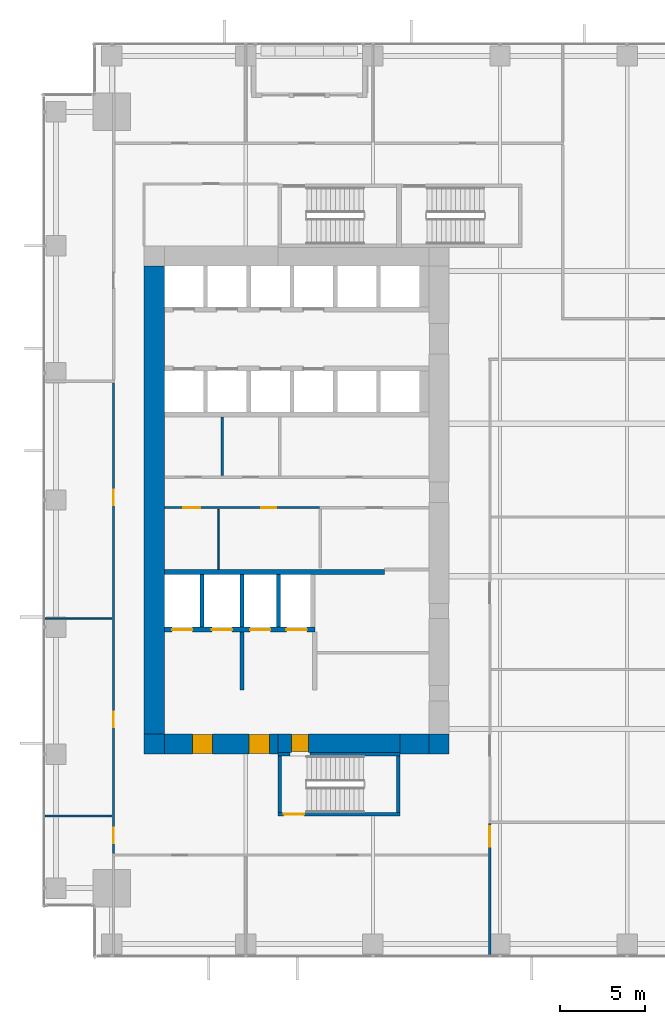
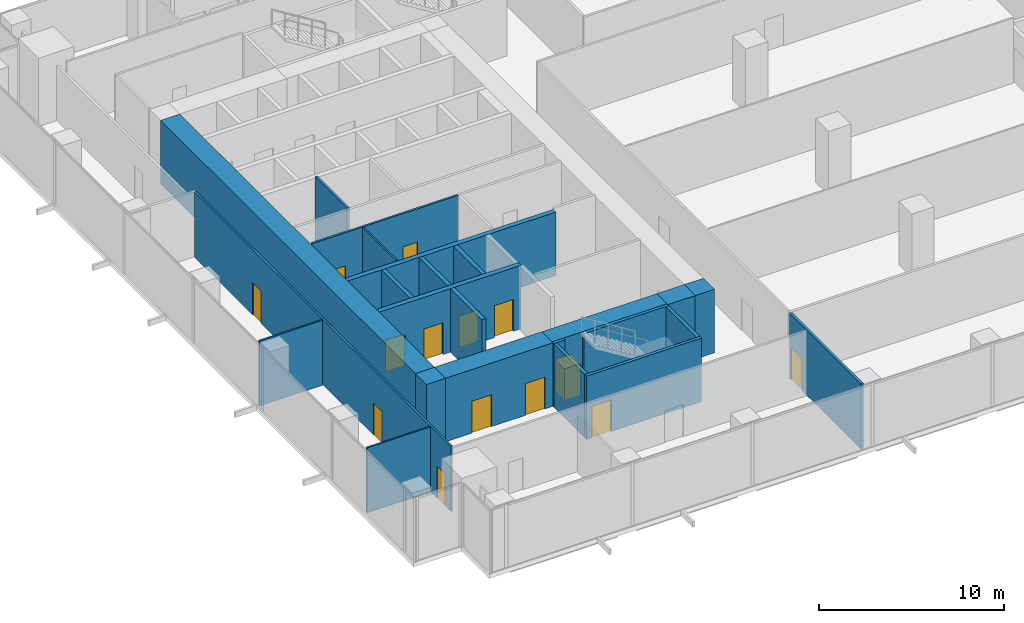
# One storey, part 26 of 32: 24 walls, 14 doors, 14 openings.
"""IFC4 building model written with IfcOpenShell, lengths in metres."""

from ifc_helpers import new_model, si_unit, direction, frame, frame_2d, origin, place, context, subcontext, project, spatial, rectangle, extrude, source, transform, mapped, material, layer, layer_set, type_object, element, fill, save


model = new_model("IFC4")

# Units and contexts
model_context = context("Model", 3, precision=1e-05, world=origin(), true_north=direction((0.0, 1.0)))
body_context = subcontext(model_context, "Body", "Model", "MODEL_VIEW")
ifc_project = project(units=[si_unit("LENGTHUNIT", "METRE"), si_unit("AREAUNIT", "SQUARE_METRE"), si_unit("VOLUMEUNIT", "CUBIC_METRE"), si_unit("PLANEANGLEUNIT", "RADIAN"), si_unit("MASSUNIT", "GRAM", prefix="KILO")], contexts=[model_context])

# Site, building, storey
site_placement = place(None, origin())
site = spatial("IfcSite", under=ifc_project, at=site_placement, CompositionType="ELEMENT")
building_placement = place(site_placement, origin())
building = spatial("IfcBuilding", under=site, at=building_placement, Name="Khomas Fold Tower", CompositionType="ELEMENT")
storey_placement = place(building_placement, frame((0.0, 0.0, 42.0)))
storey = spatial("IfcBuildingStorey", under=building, at=storey_placement, Name="L08", CompositionType="ELEMENT", Elevation=42.0)

# Wall, openings, doors
ifc_material_1 = material(Name="Concrete C70/85", Category="concrete")
ifc_layer_1 = layer(ifc_material_1, 1.199951171875)
ifc_layer_set_1 = layer_set([ifc_layer_1], Name="Concrete C70/85")
wall_type_1 = type_object("IfcWallType", Name="Core wall 1200", PredefinedType="SHEAR", material=ifc_layer_set_1)
shared_shape_1 = source(origin(), body_context, "Body", "SweptSolid", [
    extrude(rectangle(XDim=6.699951171875, YDim=1.199951171875, at=frame_2d((3.35009765625, 0.0))), origin(), (0.0, 0.0, 1.0), 4.199951171875),
])
wall_1_placement = place(storey_placement, frame((7.199951171875, 12.60009765625, 0.0), z_axis=(0.0, 0.0, 1.0), x_axis=(1.0, 0.0, 0.0)))
wall_1 = element("IfcWall", 1, at=wall_1_placement, inside=storey, type_object=wall_type_1, Name="Core wall CW-L-S-B2", PredefinedType="SHEAR", context=body_context, shape_type="MappedRepresentation", body=[
    mapped(shared_shape_1, transform((0.0, 0.0, 0.0))),
])
shared_shape_2 = source(origin(), body_context, "Body", "SweptSolid", [
    extrude(rectangle(XDim=1.199951171875, YDim=2.10009765625, at=frame_2d((0.60009765625, 1.050048828125))), frame((0.0, 0.60986328125, 0.0), z_axis=(0.0, -1.0, 0.0), x_axis=(1.0, 0.0, 0.0)), (0.0, 0.0, 1.0), 1.219970703125),
])
opening_1_placement = place(wall_1_placement, frame((5.0, 0.0, 0.0)))
opening_1 = element("IfcOpeningElement", 2, at=opening_1_placement, cuts=wall_1, Name="Opening 0009", PredefinedType="OPENING", context=body_context, shape_type="MappedRepresentation", body=[
    mapped(shared_shape_2, transform((0.0, 0.0, 0.0))),
])
opening_2_placement = place(wall_1_placement, frame((1.64990234375, 0.0, 0.0)))
opening_2 = element("IfcOpeningElement", 3, at=opening_2_placement, cuts=wall_1, Name="Opening 0009", PredefinedType="OPENING", context=body_context, shape_type="MappedRepresentation", body=[
    mapped(shared_shape_2, transform((0.0, 0.0, 0.0))),
])
ifc_material_2 = material(Name="Steel door leaf", Category="steel")
door_type_1 = type_object("IfcDoorType", Name="Lobby door 1200x2100 right-hand", OperationType="SINGLE_SWING_RIGHT", PredefinedType="DOOR", material=ifc_material_2)
shared_shape_3 = source(origin(), body_context, "Body", "SweptSolid", [
    extrude(rectangle(XDim=1.199951171875, YDim=2.10009765625, at=frame_2d((0.60009765625, 1.050048828125))), frame((0.0, 0.5498046875, 0.0), z_axis=(0.0, -1.0, 0.0), x_axis=(1.0, 0.0, 0.0)), (0.0, 0.0, 1.0), 1.099853515625),
])
door_1_placement = place(opening_1_placement, origin())
door_1 = element("IfcDoor", 4, at=door_1_placement, inside=storey, type_object=door_type_1, Name="Lobby door", OperationType="SINGLE_SWING_RIGHT", OverallHeight=2.10009765625, OverallWidth=1.199951171875, PredefinedType="DOOR", context=body_context, shape_type="MappedRepresentation", body=[
    mapped(shared_shape_3, transform((0.0, 0.0, 0.0))),
])
fill(opening_1, door_1)
door_2_placement = place(opening_2_placement, origin())
door_2 = element("IfcDoor", 5, at=door_2_placement, inside=storey, type_object=door_type_1, Name="Lobby door", OperationType="SINGLE_SWING_RIGHT", OverallHeight=2.10009765625, OverallWidth=1.199951171875, PredefinedType="DOOR", context=body_context, shape_type="MappedRepresentation", body=[
    mapped(shared_shape_3, transform((0.0, 0.0, 0.0))),
])
fill(opening_2, door_2)

# Walls
ifc_material_3 = material(Name="Concrete C70/85", Category="concrete")
ifc_layer_2 = layer(ifc_material_3, 1.199951171875)
ifc_layer_set_2 = layer_set([ifc_layer_2], Name="Concrete C70/85")
wall_type_2 = type_object("IfcWallType", Name="Core corner wall 1200", PredefinedType="SHEAR", material=ifc_layer_set_2)
shared_shape_4 = source(origin(), body_context, "Body", "SweptSolid", [
    extrude(rectangle(XDim=1.199951171875, YDim=1.199951171875, at=frame_2d((0.60009765625, 0.0))), origin(), (0.0, 0.0, 1.0), 4.199951171875),
])
for number, where, z_axis, x_axis, name in (
    (6, (22.800048828125, 12.60009765625, 0.0), (0.0, 0.0, 1.0), (1.0, 0.0, 0.0), "Core wall CW-L-SE-B2"),
    (7, (6.0, 12.60009765625, 0.0), (0.0, 0.0, 1.0), (1.0, 0.0, 0.0), "Core wall CW-L-SW-B2"),
):
    element("IfcWall", number, at=place(storey_placement, frame(where, z_axis=z_axis, x_axis=x_axis)), inside=storey, type_object=wall_type_2, Name=name, PredefinedType="SHEAR", context=body_context, shape_type="MappedRepresentation", body=[
        mapped(shared_shape_4, transform((0.0, 0.0, 0.0))),
    ])

# Wall, opening, door
ifc_material_4 = material(Name="Concrete C70/85", Category="concrete")
ifc_layer_3 = layer(ifc_material_4, 1.10009765625)
ifc_layer_set_3 = layer_set([ifc_layer_3], Name="Concrete C70/85")
wall_type_3 = type_object("IfcWallType", Name="Core wall 1100", PredefinedType="SHEAR", material=ifc_layer_set_3)
shared_shape_5 = source(origin(), body_context, "Body", "SweptSolid", [
    extrude(rectangle(XDim=7.2001953125, YDim=1.10009765625, at=frame_2d((3.60009765625, 0.0))), origin(), (0.0, 0.0, 1.0), 4.199951171875),
])
wall_2_placement = place(storey_placement, frame((13.89990234375, 12.64990234375, 0.0), z_axis=(0.0, 0.0, 1.0), x_axis=(1.0, 0.0, 0.0)))
wall_2 = element("IfcWall", 8, at=wall_2_placement, inside=storey, type_object=wall_type_3, Name="Core wall CW-L-S-B2-1", PredefinedType="SHEAR", context=body_context, shape_type="MappedRepresentation", body=[
    mapped(shared_shape_5, transform((0.0, 0.0, 0.0))),
])
shared_shape_6 = source(origin(), body_context, "Body", "SweptSolid", [
    extrude(rectangle(XDim=1.0, YDim=2.10009765625, at=frame_2d((0.5, 1.050048828125))), frame((0.0, 0.56005859375, 0.0), z_axis=(0.0, -1.0, 0.0), x_axis=(1.0, 0.0, 0.0)), (0.0, 0.0, 1.0), 1.1201171875),
])
opening_3_placement = place(wall_2_placement, frame((0.800048828125, 0.0, 0.0)))
opening_3 = element("IfcOpeningElement", 9, at=opening_3_placement, cuts=wall_2, Name="Opening 0010", PredefinedType="OPENING", context=body_context, shape_type="MappedRepresentation", body=[
    mapped(shared_shape_6, transform((0.0, 0.0, 0.0))),
])
ifc_material_5 = material(Name="Steel door leaf", Category="steel")
door_type_2 = type_object("IfcDoorType", Name="Stair door 1000x2100 right-hand", OperationType="SINGLE_SWING_RIGHT", PredefinedType="DOOR", material=ifc_material_5)
shared_shape_7 = source(origin(), body_context, "Body", "SweptSolid", [
    extrude(rectangle(XDim=1.0, YDim=2.10009765625, at=frame_2d((0.5, 1.050048828125))), frame((0.0, 0.5, 0.0), z_axis=(0.0, -1.0, 0.0), x_axis=(1.0, 0.0, 0.0)), (0.0, 0.0, 1.0), 1.0),
])
door_3_placement = place(opening_3_placement, origin())
door_3 = element("IfcDoor", 10, at=door_3_placement, inside=storey, type_object=door_type_2, Name="Stair door", OperationType="SINGLE_SWING_RIGHT", OverallHeight=2.10009765625, OverallWidth=1.0, PredefinedType="DOOR", context=body_context, shape_type="MappedRepresentation", body=[
    mapped(shared_shape_7, transform((0.0, 0.0, 0.0))),
])
fill(opening_3, door_3)

# Walls
shared_shape_8 = source(origin(), body_context, "Body", "SweptSolid", [
    extrude(rectangle(XDim=1.699951171875, YDim=1.199951171875, at=frame_2d((0.85009765625, 0.0))), origin(), (0.0, 0.0, 1.0), 4.199951171875),
])
wall_3_placement = place(storey_placement, frame((21.10009765625, 12.60009765625, 0.0), z_axis=(0.0, 0.0, 1.0), x_axis=(1.0, 0.0, 0.0)))
element("IfcWall", 11, at=wall_3_placement, inside=storey, type_object=wall_type_1, Name="Core wall CW-L-S-B2-2", PredefinedType="SHEAR", context=body_context, shape_type="MappedRepresentation", body=[
    mapped(shared_shape_8, transform((0.0, 0.0, 0.0))),
])
shared_shape_9 = source(origin(), body_context, "Body", "SweptSolid", [
    extrude(rectangle(XDim=27.60009765625, YDim=1.199951171875, at=frame_2d((13.800048828125, 0.0))), origin(), (0.0, 0.0, 1.0), 4.199951171875),
])
wall_4_placement = place(storey_placement, frame((6.60009765625, 13.199951171875, 0.0), z_axis=(0.0, 0.0, 1.0), x_axis=(0.0, 1.0, 0.0)))
element("IfcWall", 12, at=wall_4_placement, inside=storey, type_object=wall_type_1, Name="Core wall CW-L-W-B2", PredefinedType="SHEAR", context=body_context, shape_type="MappedRepresentation", body=[
    mapped(shared_shape_9, transform((0.0, 0.0, 0.0))),
])
ifc_material_6 = material(Name="Concrete C50/60", Category="concrete")
ifc_layer_4 = layer(ifc_material_6, 0.199951171875)
ifc_layer_set_4 = layer_set([ifc_layer_4], Name="Concrete C50/60")
wall_type_4 = type_object("IfcWallType", Name="Stair wall 200", PredefinedType="SHEAR", material=ifc_layer_set_4)
shared_shape_10 = source(origin(), body_context, "Body", "SweptSolid", [
    extrude(rectangle(XDim=0.7001953125, YDim=0.199951171875, at=frame_2d((0.35009765625, 0.0))), origin(), (0.0, 0.0, 1.0), 4.199951171875),
])
wall_5_placement = place(storey_placement, frame((13.89990234375, 12.0, 0.0), z_axis=(0.0, 0.0, 1.0), x_axis=(1.0, 0.0, 0.0)))
element("IfcWall", 13, at=wall_5_placement, inside=storey, type_object=wall_type_4, Name="Stair wall SW-ST2-N", PredefinedType="SHEAR", context=body_context, shape_type="MappedRepresentation", body=[
    mapped(shared_shape_10, transform((0.0, 0.0, 0.0))),
])
shared_shape_11 = source(origin(), body_context, "Body", "SweptSolid", [
    extrude(rectangle(XDim=5.300048828125, YDim=0.199951171875, at=frame_2d((2.64990234375, 0.0))), origin(), (0.0, 0.0, 1.0), 4.199951171875),
])
wall_6_placement = place(storey_placement, frame((15.800048828125, 12.0, 0.0), z_axis=(0.0, 0.0, 1.0), x_axis=(1.0, 0.0, 0.0)))
element("IfcWall", 14, at=wall_6_placement, inside=storey, type_object=wall_type_4, Name="Stair wall SW-ST2-NB", PredefinedType="SHEAR", context=body_context, shape_type="MappedRepresentation", body=[
    mapped(shared_shape_11, transform((0.0, 0.0, 0.0))),
])

# Wall, opening, door
shared_shape_12 = source(origin(), body_context, "Body", "SweptSolid", [
    extrude(rectangle(XDim=7.2001953125, YDim=0.199951171875, at=frame_2d((3.60009765625, 0.0))), origin(), (0.0, 0.0, 1.0), 4.199951171875),
])
wall_7_placement = place(storey_placement, frame((13.89990234375, 8.449951171875, 0.0), z_axis=(0.0, 0.0, 1.0), x_axis=(1.0, 0.0, 0.0)))
wall_7 = element("IfcWall", 15, at=wall_7_placement, inside=storey, type_object=wall_type_4, Name="Stair wall SW-ST2-S", PredefinedType="SHEAR", context=body_context, shape_type="MappedRepresentation", body=[
    mapped(shared_shape_12, transform((0.0, 0.0, 0.0))),
])
shared_shape_13 = source(origin(), body_context, "Body", "SweptSolid", [
    extrude(rectangle(XDim=1.199951171875, YDim=2.10009765625, at=frame_2d((0.60009765625, 1.050048828125))), frame((0.0, 0.10986328125, 0.0), z_axis=(0.0, -1.0, 0.0), x_axis=(1.0, 0.0, 0.0)), (0.0, 0.0, 1.0), 0.219970703125),
])
opening_4_placement = place(wall_7_placement, frame((0.35009765625, 0.0, 0.0)))
opening_4 = element("IfcOpeningElement", 16, at=opening_4_placement, cuts=wall_7, Name="Opening SD-ST2", PredefinedType="OPENING", context=body_context, shape_type="MappedRepresentation", body=[
    mapped(shared_shape_13, transform((0.0, 0.0, 0.0))),
])
ifc_material_7 = material(Name="Steel door leaf", Category="steel")
door_type_3 = type_object("IfcDoorType", Name="Stair door 1200x2100 right-hand", OperationType="SINGLE_SWING_RIGHT", PredefinedType="DOOR", material=ifc_material_7)
shared_shape_14 = source(origin(), body_context, "Body", "SweptSolid", [
    extrude(rectangle(XDim=1.199951171875, YDim=2.10009765625, at=frame_2d((0.60009765625, 1.050048828125))), frame((0.0, 0.02490234375, 0.0), z_axis=(0.0, -1.0, 0.0), x_axis=(1.0, 0.0, 0.0)), (0.0, 0.0, 1.0), 0.050048828125),
])
door_4_placement = place(opening_4_placement, origin())
door_4 = element("IfcDoor", 17, at=door_4_placement, inside=storey, type_object=door_type_3, Name="Stair door", OperationType="SINGLE_SWING_RIGHT", OverallHeight=2.10009765625, OverallWidth=1.199951171875, PredefinedType="DOOR", context=body_context, shape_type="MappedRepresentation", body=[
    mapped(shared_shape_14, transform((0.0, 0.0, 0.0))),
])
fill(opening_4, door_4)

# Walls
shared_shape_15 = source(origin(), body_context, "Body", "SweptSolid", [
    extrude(rectangle(XDim=3.349853515625, YDim=0.199951171875, at=frame_2d((1.6748046875, 0.0))), origin(), (0.0, 0.0, 1.0), 4.199951171875),
])
for number, where, z_axis, x_axis, name in (
    (18, (21.0, 8.550048828125, 0.0), (0.0, 0.0, 1.0), (0.0, 1.0, 0.0), "Stair wall SW-ST2-E"),
    (19, (14.0, 8.550048828125, 0.0), (0.0, 0.0, 1.0), (0.0, 1.0, 0.0), "Stair wall SW-ST2-W"),
):
    element("IfcWall", number, at=place(storey_placement, frame(where, z_axis=z_axis, x_axis=x_axis)), inside=storey, type_object=wall_type_4, Name=name, PredefinedType="SHEAR", context=body_context, shape_type="MappedRepresentation", body=[
        mapped(shared_shape_15, transform((0.0, 0.0, 0.0))),
    ])
ifc_material_8 = material(Name="Concrete C50/60", Category="concrete")
ifc_layer_5 = layer(ifc_material_8, 0.300048828125)
ifc_layer_set_5 = layer_set([ifc_layer_5], Name="Concrete C50/60")
wall_type_5 = type_object("IfcWallType", Name="Shaft wall 300", PredefinedType="STANDARD", material=ifc_layer_set_5)
shared_shape_16 = source(origin(), body_context, "Body", "SweptSolid", [
    extrude(rectangle(XDim=13.0, YDim=0.300048828125, at=frame_2d((6.5, 0.0))), origin(), (0.0, 0.0, 1.0), 4.199951171875),
])
wall_8_placement = place(storey_placement, frame((7.199951171875, 22.75, 0.0), z_axis=(0.0, 0.0, 1.0), x_axis=(1.0, 0.0, 0.0)))
element("IfcWall", 20, at=wall_8_placement, inside=storey, type_object=wall_type_5, Name="Core wall SW-FS-B", PredefinedType="STANDARD", context=body_context, shape_type="MappedRepresentation", body=[
    mapped(shared_shape_16, transform((0.0, 0.0, 0.0))),
])

# Wall, openings, doors
shared_shape_17 = source(origin(), body_context, "Body", "SweptSolid", [
    extrude(rectangle(XDim=8.875, YDim=0.300048828125, at=frame_2d((4.4375, 0.0))), origin(), (0.0, 0.0, 1.0), 4.199951171875),
])
wall_9_placement = place(storey_placement, frame((7.199951171875, 19.35009765625, 0.0), z_axis=(0.0, 0.0, 1.0), x_axis=(1.0, 0.0, 0.0)))
wall_9 = element("IfcWall", 21, at=wall_9_placement, inside=storey, type_object=wall_type_5, Name="Core wall SW-FS-F", PredefinedType="STANDARD", context=body_context, shape_type="MappedRepresentation", body=[
    mapped(shared_shape_17, transform((0.0, 0.0, 0.0))),
])
shared_shape_18 = source(origin(), body_context, "Body", "SweptSolid", [
    extrude(rectangle(XDim=1.199951171875, YDim=2.10009765625, at=frame_2d((0.60009765625, 1.050048828125))), frame((0.0, 0.159912109375, 0.0), z_axis=(0.0, -1.0, 0.0), x_axis=(1.0, 0.0, 0.0)), (0.0, 0.0, 1.0), 0.320068359375),
])
opening_5_placement = place(wall_9_placement, frame((0.449951171875, 0.0, 0.0)))
opening_5 = element("IfcOpeningElement", 22, at=opening_5_placement, cuts=wall_9, Name="Opening LD-SV1", PredefinedType="OPENING", context=body_context, shape_type="MappedRepresentation", body=[
    mapped(shared_shape_18, transform((0.0, 0.0, 0.0))),
])
opening_6_placement = place(wall_9_placement, frame((2.800048828125, 0.0, 0.0)))
opening_6 = element("IfcOpeningElement", 23, at=opening_6_placement, cuts=wall_9, Name="Opening LD-SV2", PredefinedType="OPENING", context=body_context, shape_type="MappedRepresentation", body=[
    mapped(shared_shape_18, transform((0.0, 0.0, 0.0))),
])
opening_7_placement = place(wall_9_placement, frame((5.050048828125, 0.0, 0.0)))
opening_7 = element("IfcOpeningElement", 24, at=opening_7_placement, cuts=wall_9, Name="Opening LD-FF1", PredefinedType="OPENING", context=body_context, shape_type="MappedRepresentation", body=[
    mapped(shared_shape_18, transform((0.0, 0.0, 0.0))),
])
opening_8_placement = place(wall_9_placement, frame((7.199951171875, 0.0, 0.0)))
opening_8 = element("IfcOpeningElement", 25, at=opening_8_placement, cuts=wall_9, Name="Opening LD-FF2", PredefinedType="OPENING", context=body_context, shape_type="MappedRepresentation", body=[
    mapped(shared_shape_18, transform((0.0, 0.0, 0.0))),
])
ifc_material_9 = material(Name="Steel door leaf", Category="steel")
door_type_4 = type_object("IfcDoorType", Name="Landing door 1200x2100", OperationType="DOUBLE_DOOR_SLIDING", PredefinedType="DOOR", material=ifc_material_9)
door_5_placement = place(opening_5_placement, origin())
door_5 = element("IfcDoor", 26, at=door_5_placement, inside=storey, type_object=door_type_4, Name="Lift landing door", OperationType="DOUBLE_DOOR_SLIDING", OverallHeight=2.10009765625, OverallWidth=1.199951171875, PredefinedType="DOOR", context=body_context, shape_type="MappedRepresentation", body=[
    mapped(shared_shape_14, transform((0.0, 0.0, 0.0))),
])
fill(opening_5, door_5)
door_6_placement = place(opening_6_placement, origin())
door_6 = element("IfcDoor", 27, at=door_6_placement, inside=storey, type_object=door_type_4, Name="Lift landing door", OperationType="DOUBLE_DOOR_SLIDING", OverallHeight=2.10009765625, OverallWidth=1.199951171875, PredefinedType="DOOR", context=body_context, shape_type="MappedRepresentation", body=[
    mapped(shared_shape_14, transform((0.0, 0.0, 0.0))),
])
fill(opening_6, door_6)
door_7_placement = place(opening_7_placement, origin())
door_7 = element("IfcDoor", 28, at=door_7_placement, inside=storey, type_object=door_type_4, Name="Lift landing door", OperationType="DOUBLE_DOOR_SLIDING", OverallHeight=2.10009765625, OverallWidth=1.199951171875, PredefinedType="DOOR", context=body_context, shape_type="MappedRepresentation", body=[
    mapped(shared_shape_14, transform((0.0, 0.0, 0.0))),
])
fill(opening_7, door_7)
door_8_placement = place(opening_8_placement, origin())
door_8 = element("IfcDoor", 29, at=door_8_placement, inside=storey, type_object=door_type_4, Name="Lift landing door", OperationType="DOUBLE_DOOR_SLIDING", OverallHeight=2.10009765625, OverallWidth=1.199951171875, PredefinedType="DOOR", context=body_context, shape_type="MappedRepresentation", body=[
    mapped(shared_shape_14, transform((0.0, 0.0, 0.0))),
])
fill(opening_8, door_8)

# Walls
ifc_material_10 = material(Name="Concrete C50/60", Category="concrete")
ifc_layer_6 = layer(ifc_material_10, 0.25)
ifc_layer_set_6 = layer_set([ifc_layer_6], Name="Concrete C50/60")
wall_type_6 = type_object("IfcWallType", Name="Shaft wall 250", PredefinedType="STANDARD", material=ifc_layer_set_6)
shared_shape_19 = source(origin(), body_context, "Body", "SweptSolid", [
    extrude(rectangle(XDim=3.10009765625, YDim=0.25, at=frame_2d((1.550048828125, 0.0))), origin(), (0.0, 0.0, 1.0), 4.199951171875),
])
for number, where, z_axis, x_axis, name in (
    (30, (9.425048828125, 19.5, 0.0), (0.0, 0.0, 1.0), (0.0, 1.0, 0.0), "Core wall SW-FS-P1"),
    (31, (11.77490234375, 19.5, 0.0), (0.0, 0.0, 1.0), (0.0, 1.0, 0.0), "Core wall SW-FS-P2"),
    (32, (13.925048828125, 19.5, 0.0), (0.0, 0.0, 1.0), (0.0, 1.0, 0.0), "Core wall SW-FS-P3"),
):
    element("IfcWall", number, at=place(storey_placement, frame(where, z_axis=z_axis, x_axis=x_axis)), inside=storey, type_object=wall_type_6, Name=name, PredefinedType="STANDARD", context=body_context, shape_type="MappedRepresentation", body=[
        mapped(shared_shape_19, transform((0.0, 0.0, 0.0))),
    ])
ifc_material_11 = material(Name="Concrete C50/60", Category="concrete")
ifc_layer_7 = layer(ifc_material_11, 0.25)
ifc_layer_set_7 = layer_set([ifc_layer_7], Name="Concrete C50/60")
wall_type_7 = type_object("IfcWallType", Name="Lobby wall 250", PredefinedType="STANDARD", material=ifc_layer_set_7)
shared_shape_20 = source(origin(), body_context, "Body", "SweptSolid", [
    extrude(rectangle(XDim=3.39990234375, YDim=0.25, at=frame_2d((1.699951171875, 0.0))), origin(), (0.0, 0.0, 1.0), 4.199951171875),
])
wall_10_placement = place(storey_placement, frame((11.77490234375, 15.800048828125, 0.0), z_axis=(0.0, 0.0, 1.0), x_axis=(0.0, 1.0, 0.0)))
element("IfcWall", 33, at=wall_10_placement, inside=storey, type_object=wall_type_7, Name="Core wall SW-FS-SEP", PredefinedType="STANDARD", context=body_context, shape_type="MappedRepresentation", body=[
    mapped(shared_shape_20, transform((0.0, 0.0, 0.0))),
])

# Wall, opening, door
ifc_material_12 = material(Name="Plasterboard fire partition")
ifc_layer_8 = layer(ifc_material_12, 0.14990234375)
ifc_layer_set_8 = layer_set([ifc_layer_8], Name="Plasterboard fire partition")
wall_type_8 = type_object("IfcWallType", Name="Plant room wall PW3 150", PredefinedType="PARTITIONING", material=ifc_layer_set_8)
shared_shape_21 = source(origin(), body_context, "Body", "SweptSolid", [
    extrude(rectangle(XDim=7.75, YDim=0.14990234375, at=frame_2d((3.875, 0.0))), origin(), (0.0, 0.0, 1.0), 4.300048828125),
])
wall_11_placement = place(storey_placement, frame((26.39990234375, 0.14990234375, 0.0), z_axis=(0.0, 0.0, 1.0), x_axis=(0.0, 1.0, 0.0)))
wall_11 = element("IfcWall", 34, at=wall_11_placement, inside=storey, type_object=wall_type_8, Name="Plant room wall", PredefinedType="PARTITIONING", context=body_context, shape_type="MappedRepresentation", body=[
    mapped(shared_shape_21, transform((0.0, 0.0, 0.0))),
])
shared_shape_22 = source(origin(), body_context, "Body", "SweptSolid", [
    extrude(rectangle(XDim=1.199951171875, YDim=2.10009765625, at=frame_2d((0.60009765625, 1.050048828125))), frame((0.0, 0.0849609375, 0.0), z_axis=(0.0, -1.0, 0.0), x_axis=(1.0, 0.0, 0.0)), (0.0, 0.0, 1.0), 0.169921875),
])
opening_9_placement = place(wall_11_placement, frame((6.39990234375, 0.0, 0.0)))
opening_9 = element("IfcOpeningElement", 35, at=opening_9_placement, cuts=wall_11, Name="Opening 0011", PredefinedType="OPENING", context=body_context, shape_type="MappedRepresentation", body=[
    mapped(shared_shape_22, transform((0.0, 0.0, 0.0))),
])
ifc_material_13 = material(Name="Steel door leaf", Category="steel")
door_type_5 = type_object("IfcDoorType", Name="Plant room door 1200x2100 right-hand", OperationType="SINGLE_SWING_RIGHT", PredefinedType="DOOR", material=ifc_material_13)
door_9_placement = place(opening_9_placement, origin())
door_9 = element("IfcDoor", 36, at=door_9_placement, inside=storey, type_object=door_type_5, Name="Plant room door", OperationType="SINGLE_SWING_RIGHT", OverallHeight=2.10009765625, OverallWidth=1.199951171875, PredefinedType="DOOR", context=body_context, shape_type="MappedRepresentation", body=[
    mapped(shared_shape_14, transform((0.0, 0.0, 0.0))),
])
fill(opening_9, door_9)

# Wall, openings, doors
ifc_material_14 = material(Name="Plasterboard partition")
ifc_layer_9 = layer(ifc_material_14, 0.125)
ifc_layer_set_9 = layer_set([ifc_layer_9], Name="Plasterboard partition")
wall_type_9 = type_object("IfcWallType", Name="Partition PW2 125", PredefinedType="PARTITIONING", material=ifc_layer_set_9)
shared_shape_23 = source(origin(), body_context, "Body", "SweptSolid", [
    extrude(rectangle(XDim=27.75, YDim=0.125, at=frame_2d((13.875, 0.0))), origin(), (0.0, 0.0, 1.0), 4.300048828125),
])
wall_12_placement = place(storey_placement, frame((4.199951171875, 6.14990234375, 0.0), z_axis=(0.0, 0.0, 1.0), x_axis=(0.0, 1.0, 0.0)))
wall_12 = element("IfcWall", 37, at=wall_12_placement, inside=storey, type_object=wall_type_9, Name="Partition", PredefinedType="PARTITIONING", context=body_context, shape_type="MappedRepresentation", body=[
    mapped(shared_shape_23, transform((0.0, 0.0, 0.0))),
])
shared_shape_24 = source(origin(), body_context, "Body", "SweptSolid", [
    extrude(rectangle(XDim=0.89990234375, YDim=2.10009765625, at=frame_2d((0.449951171875, 1.050048828125))), frame((0.0, 0.072509765625, 0.0), z_axis=(0.0, -1.0, 0.0), x_axis=(1.0, 0.0, 0.0)), (0.0, 0.0, 1.0), 0.14501953125),
])
opening_10_placement = place(wall_12_placement, frame((0.60009765625, 0.0, 0.0)))
opening_10 = element("IfcOpeningElement", 38, at=opening_10_placement, cuts=wall_12, Name="Opening 0008", PredefinedType="OPENING", context=body_context, shape_type="MappedRepresentation", body=[
    mapped(shared_shape_24, transform((0.0, 0.0, 0.0))),
])
opening_11_placement = place(wall_12_placement, frame((7.449951171875, 0.0, 0.0)))
opening_11 = element("IfcOpeningElement", 39, at=opening_11_placement, cuts=wall_12, Name="Opening 0008", PredefinedType="OPENING", context=body_context, shape_type="MappedRepresentation", body=[
    mapped(shared_shape_24, transform((0.0, 0.0, 0.0))),
])
opening_12_placement = place(wall_12_placement, frame((20.550048828125, 0.0, 0.0)))
opening_12 = element("IfcOpeningElement", 40, at=opening_12_placement, cuts=wall_12, Name="Opening 0007", PredefinedType="OPENING", context=body_context, shape_type="MappedRepresentation", body=[
    mapped(shared_shape_24, transform((0.0, 0.0, 0.0))),
])
ifc_material_15 = material(Name="Timber door leaf", Category="wood")
door_type_6 = type_object("IfcDoorType", Name="Door 900x2100 right-hand", OperationType="SINGLE_SWING_RIGHT", PredefinedType="DOOR", material=ifc_material_15)
shared_shape_25 = source(origin(), body_context, "Body", "SweptSolid", [
    extrude(rectangle(XDim=0.89990234375, YDim=2.10009765625, at=frame_2d((0.449951171875, 1.050048828125))), frame((0.0, 0.02490234375, 0.0), z_axis=(0.0, -1.0, 0.0), x_axis=(1.0, 0.0, 0.0)), (0.0, 0.0, 1.0), 0.050048828125),
])
door_10_placement = place(opening_10_placement, origin())
door_10 = element("IfcDoor", 41, at=door_10_placement, inside=storey, type_object=door_type_6, Name="Door", OperationType="SINGLE_SWING_RIGHT", OverallHeight=2.10009765625, OverallWidth=0.89990234375, PredefinedType="DOOR", context=body_context, shape_type="MappedRepresentation", body=[
    mapped(shared_shape_25, transform((0.0, 0.0, 0.0))),
])
fill(opening_10, door_10)
door_11_placement = place(opening_11_placement, origin())
door_11 = element("IfcDoor", 42, at=door_11_placement, inside=storey, type_object=door_type_6, Name="Door", OperationType="SINGLE_SWING_RIGHT", OverallHeight=2.10009765625, OverallWidth=0.89990234375, PredefinedType="DOOR", context=body_context, shape_type="MappedRepresentation", body=[
    mapped(shared_shape_25, transform((0.0, 0.0, 0.0))),
])
fill(opening_11, door_11)
ifc_material_16 = material(Name="Timber door leaf", Category="wood")
door_type_7 = type_object("IfcDoorType", Name="Door 900x2100 left-hand", OperationType="SINGLE_SWING_LEFT", PredefinedType="DOOR", material=ifc_material_16)
door_12_placement = place(opening_12_placement, origin())
door_12 = element("IfcDoor", 43, at=door_12_placement, inside=storey, type_object=door_type_7, Name="Door", OperationType="SINGLE_SWING_LEFT", OverallHeight=2.10009765625, OverallWidth=0.89990234375, PredefinedType="DOOR", context=body_context, shape_type="MappedRepresentation", body=[
    mapped(shared_shape_25, transform((0.0, 0.0, 0.0))),
])
fill(opening_12, door_12)

# Walls
ifc_material_17 = material(Name="Plasterboard partition")
ifc_layer_10 = layer(ifc_material_17, 0.10009765625)
ifc_layer_set_10 = layer_set([ifc_layer_10], Name="Plasterboard partition")
wall_type_10 = type_object("IfcWallType", Name="Partition PW1 100", PredefinedType="PARTITIONING", material=ifc_layer_set_10)
shared_shape_26 = source(origin(), body_context, "Body", "SweptSolid", [
    extrude(rectangle(XDim=3.9501953125, YDim=0.10009765625, at=frame_2d((1.97509765625, 0.0))), origin(), (0.0, 0.0, 1.0), 4.300048828125),
])
for number, where, z_axis, x_axis, name in (
    (44, (0.14990234375, 8.35009765625, 0.0), (0.0, 0.0, 1.0), (1.0, 0.0, 0.0), "Partition"),
    (45, (0.14990234375, 20.0, 0.0), (0.0, 0.0, 1.0), (1.0, 0.0, 0.0), "Partition"),
):
    element("IfcWall", number, at=place(storey_placement, frame(where, z_axis=z_axis, x_axis=x_axis)), inside=storey, type_object=wall_type_10, Name=name, PredefinedType="PARTITIONING", context=body_context, shape_type="MappedRepresentation", body=[
        mapped(shared_shape_26, transform((0.0, 0.0, 0.0))),
    ])
shared_shape_27 = source(origin(), body_context, "Body", "SweptSolid", [
    extrude(rectangle(XDim=3.550048828125, YDim=0.10009765625, at=frame_2d((1.77490234375, 0.0))), origin(), (0.0, 0.0, 1.0), 4.300048828125),
])
wall_13_placement = place(storey_placement, frame((10.39990234375, 22.89990234375, 0.0), z_axis=(0.0, 0.0, 1.0), x_axis=(0.0, 1.0, 0.0)))
element("IfcWall", 46, at=wall_13_placement, inside=storey, type_object=wall_type_10, Name="Partition", PredefinedType="PARTITIONING", context=body_context, shape_type="MappedRepresentation", body=[
    mapped(shared_shape_27, transform((0.0, 0.0, 0.0))),
])
shared_shape_28 = source(origin(), body_context, "Body", "SweptSolid", [
    extrude(rectangle(XDim=3.449951171875, YDim=0.14990234375, at=frame_2d((1.72509765625, 0.0))), origin(), (0.0, 0.0, 1.0), 4.300048828125),
])
wall_14_placement = place(storey_placement, frame((10.60009765625, 28.449951171875, 0.0), z_axis=(0.0, 0.0, 1.0), x_axis=(0.0, 1.0, 0.0)))
element("IfcWall", 47, at=wall_14_placement, inside=storey, type_object=wall_type_8, Name="Plant room wall", PredefinedType="PARTITIONING", context=body_context, shape_type="MappedRepresentation", body=[
    mapped(shared_shape_28, transform((0.0, 0.0, 0.0))),
])

# Wall, openings, doors
shared_shape_29 = source(origin(), body_context, "Body", "SweptSolid", [
    extrude(rectangle(XDim=9.150146484375, YDim=0.125, at=frame_2d((4.5751953125, 0.0))), origin(), (0.0, 0.0, 1.0), 4.300048828125),
])
wall_15_placement = place(storey_placement, frame((7.199951171875, 26.550048828125, 0.0), z_axis=(0.0, 0.0, 1.0), x_axis=(1.0, 0.0, 0.0)))
wall_15 = element("IfcWall", 48, at=wall_15_placement, inside=storey, type_object=wall_type_9, Name="Partition", PredefinedType="PARTITIONING", context=body_context, shape_type="MappedRepresentation", body=[
    mapped(shared_shape_29, transform((0.0, 0.0, 0.0))),
])
shared_shape_30 = source(origin(), body_context, "Body", "SweptSolid", [
    extrude(rectangle(XDim=1.0, YDim=2.10009765625, at=frame_2d((0.5, 1.050048828125))), frame((0.0, 0.072509765625, 0.0), z_axis=(0.0, -1.0, 0.0), x_axis=(1.0, 0.0, 0.0)), (0.0, 0.0, 1.0), 0.14501953125),
])
opening_13_placement = place(wall_15_placement, frame((1.10009765625, 0.0, 0.0)))
opening_13 = element("IfcOpeningElement", 49, at=opening_13_placement, cuts=wall_15, Name="Opening 0014", PredefinedType="OPENING", context=body_context, shape_type="MappedRepresentation", body=[
    mapped(shared_shape_30, transform((0.0, 0.0, 0.0))),
])
opening_14_placement = place(wall_15_placement, frame((5.699951171875, 0.0, 0.0)))
opening_14 = element("IfcOpeningElement", 50, at=opening_14_placement, cuts=wall_15, Name="Opening 0007", PredefinedType="OPENING", context=body_context, shape_type="MappedRepresentation", body=[
    mapped(shared_shape_24, transform((0.0, 0.0, 0.0))),
])
door_13_placement = place(opening_14_placement, origin())
door_13 = element("IfcDoor", 51, at=door_13_placement, inside=storey, type_object=door_type_7, Name="Door", OperationType="SINGLE_SWING_LEFT", OverallHeight=2.10009765625, OverallWidth=0.89990234375, PredefinedType="DOOR", context=body_context, shape_type="MappedRepresentation", body=[
    mapped(shared_shape_25, transform((0.0, 0.0, 0.0))),
])
fill(opening_14, door_13)
ifc_material_18 = material(Name="Timber door leaf", Category="wood")
door_type_8 = type_object("IfcDoorType", Name="WC door 1000x2100 left-hand", OperationType="SINGLE_SWING_LEFT", PredefinedType="DOOR", material=ifc_material_18)
shared_shape_31 = source(origin(), body_context, "Body", "SweptSolid", [
    extrude(rectangle(XDim=1.0, YDim=2.10009765625, at=frame_2d((0.5, 1.050048828125))), frame((0.0, 0.02490234375, 0.0), z_axis=(0.0, -1.0, 0.0), x_axis=(1.0, 0.0, 0.0)), (0.0, 0.0, 1.0), 0.050048828125),
])
door_14_placement = place(opening_13_placement, origin())
door_14 = element("IfcDoor", 52, at=door_14_placement, inside=storey, type_object=door_type_8, Name="WC door", OperationType="SINGLE_SWING_LEFT", OverallHeight=2.10009765625, OverallWidth=1.0, PredefinedType="DOOR", context=body_context, shape_type="MappedRepresentation", body=[
    mapped(shared_shape_31, transform((0.0, 0.0, 0.0))),
])
fill(opening_13, door_14)

save(model, "model.ifc")
